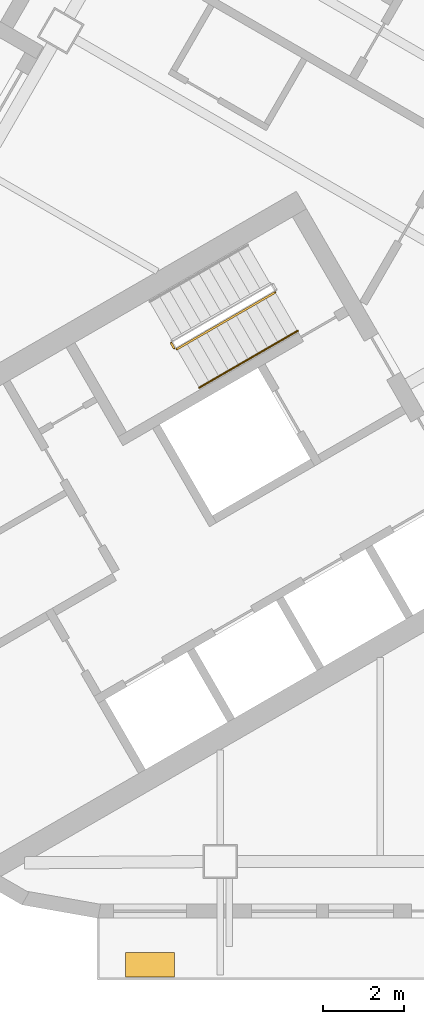
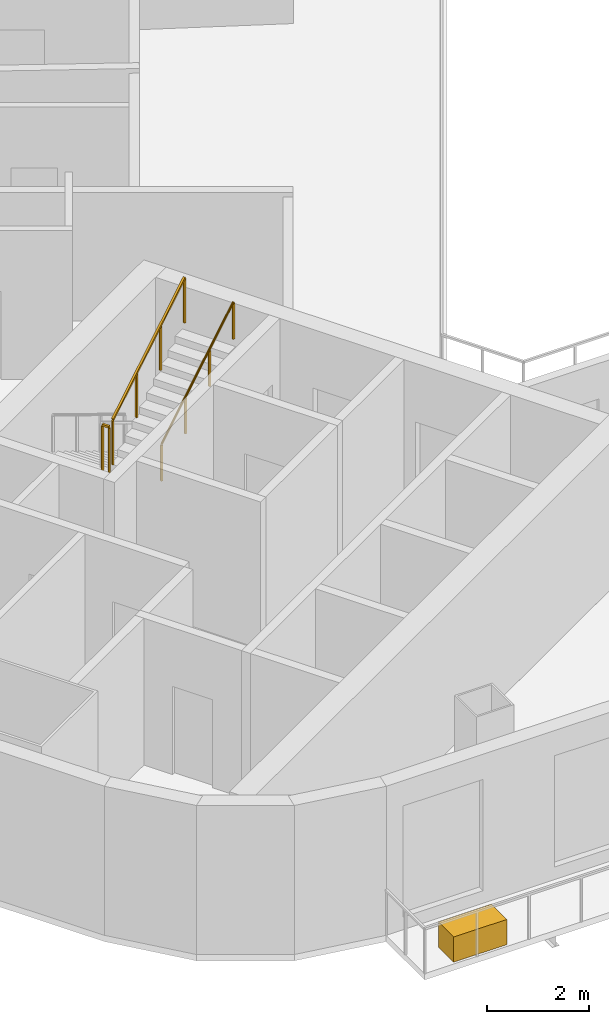
# One storey, part 9 of 14: 3 railings, 1 covering.
"""IFC4 building model written with IfcOpenShell, lengths in metres."""

from ifc_helpers import new_model, si_unit, direction, frame, origin, origin_2d, place, context, subcontext, project, spatial, rectangle, circle, extrude, material, type_object, element, save


model = new_model("IFC4")

# Units and contexts
model_context = context("Model", 3, precision=1e-05, world=origin(), true_north=direction((0.0, 1.0)))
body_context = subcontext(model_context, "Body", "Model", "MODEL_VIEW")
ifc_project = project(units=[si_unit("LENGTHUNIT", "METRE"), si_unit("AREAUNIT", "SQUARE_METRE"), si_unit("VOLUMEUNIT", "CUBIC_METRE"), si_unit("PLANEANGLEUNIT", "RADIAN"), si_unit("MASSUNIT", "GRAM", prefix="KILO")], contexts=[model_context])

# Site, building, storey
site_placement = place(None, origin())
site = spatial("IfcSite", under=ifc_project, at=site_placement, CompositionType="ELEMENT")
building_placement = place(site_placement, origin())
building = spatial("IfcBuilding", under=site, at=building_placement, Name="Apuvela Tower Hotel", CompositionType="ELEMENT")
storey_placement = place(building_placement, frame((0.0, 0.0, 150.300048828125)))
storey = spatial("IfcBuildingStorey", under=building, at=storey_placement, Name="L35", CompositionType="ELEMENT", Elevation=150.300048828125)

# Railings
ifc_material_1 = material(Name="Steel S275 balustrade", Category="steel")
railing_type_1 = type_object("IfcRailingType", Name="COR-GUARD-1100", PredefinedType="GUARDRAIL", material=ifc_material_1)
railing_1_placement = place(storey_placement, frame((-17.01220703125, -5.43408203125, 1.849853515625)))
element("IfcRailing", 1, at=railing_1_placement, inside=storey, type_object=railing_type_1, Name="L35 ST2 stair guard 2", PredefinedType="GUARDRAIL", context=body_context, shape_type="SweptSolid", body=[
    extrude(rectangle(XDim=0.048095703125, YDim=0.048095703125, at=origin_2d()), frame((0.0, 0.0, 1.076171875), z_axis=(0.499816412211, -0.866131372301, 0.0), x_axis=(0.866131372301, 0.499816412211, 0.0)), (0.0, 0.0, 1.0), 0.14990234375),
    extrude(rectangle(XDim=0.0419921875, YDim=0.0419921875, at=origin_2d()), origin(), (0.0, 0.0, 1.0), 1.052001953125),
    extrude(rectangle(XDim=0.0419921875, YDim=0.0419921875, at=origin_2d()), frame((0.074951171875, -0.1298828125, 0.0)), (0.0, 0.0, 1.0), 1.052001953125),
])
railing_2_placement = place(storey_placement, frame((-16.868896484375, -5.582275390625, 2.01806640625)))
element("IfcRailing", 2, at=railing_2_placement, inside=storey, type_object=railing_type_1, Name="L35 ST2 stair guard 3", PredefinedType="GUARDRAIL", context=body_context, shape_type="SweptSolid", body=[
    extrude(rectangle(XDim=0.048095703125, YDim=0.048095703125, at=origin_2d()), frame((0.0, 0.0, 1.076171875), z_axis=(0.742390482028, 0.42860119049, 0.514934356695), x_axis=(-0.49998411664, 0.866034573852, 0.0)), (0.0, 0.0, 1.0), 3.26611328125),
    extrude(rectangle(XDim=0.0419921875, YDim=0.0419921875, at=origin_2d()), origin(), (0.0, 0.0, 1.0), 1.052001953125),
    extrude(rectangle(XDim=0.0419921875, YDim=0.0419921875, at=origin_2d()), frame((0.808349609375, 0.466552734375, 0.560546875)), (0.0, 0.0, 1.0), 1.052001953125),
    extrude(rectangle(XDim=0.0419921875, YDim=0.0419921875, at=origin_2d()), frame((1.616455078125, 0.933349609375, 1.121337890625)), (0.0, 0.0, 1.0), 1.052001953125),
    extrude(rectangle(XDim=0.0419921875, YDim=0.0419921875, at=origin_2d()), frame((2.4248046875, 1.39990234375, 1.681884765625)), (0.0, 0.0, 1.0), 1.052001953125),
])
ifc_material_2 = material(Name="Stainless steel 316 handrail", Category="steel")
railing_type_2 = type_object("IfcRailingType", Name="COR-HANDRAIL-900", PredefinedType="HANDRAIL", material=ifc_material_2)
railing_3_placement = place(storey_placement, frame((-16.31884765625, -6.534912109375, 2.01806640625)))
element("IfcRailing", 3, at=railing_3_placement, inside=storey, type_object=railing_type_2, Name="L35 ST2 stair handrail 2", PredefinedType="HANDRAIL", context=body_context, shape_type="SweptSolid", body=[
    extrude(circle(Radius=0.02392578125, at=origin_2d()), frame((0.0, 0.0, 0.8759765625), z_axis=(0.742390482028, 0.42860119049, 0.514934356695), x_axis=(-0.49998411664, 0.866034573852, 0.0)), (0.0, 0.0, 1.0), 3.26611328125),
    extrude(rectangle(XDim=0.0419921875, YDim=0.0419921875, at=origin_2d()), origin(), (0.0, 0.0, 1.0), 0.851806640625),
    extrude(rectangle(XDim=0.0419921875, YDim=0.0419921875, at=origin_2d()), frame((0.808349609375, 0.466552734375, 0.560546875)), (0.0, 0.0, 1.0), 0.851806640625),
    extrude(rectangle(XDim=0.0419921875, YDim=0.0419921875, at=origin_2d()), frame((1.616455078125, 0.933349609375, 1.121337890625)), (0.0, 0.0, 1.0), 0.851806640625),
    extrude(rectangle(XDim=0.0419921875, YDim=0.0419921875, at=origin_2d()), frame((2.4248046875, 1.39990234375, 1.681884765625)), (0.0, 0.0, 1.0), 0.851806640625),
])

# Covering
ifc_material_3 = material(Name="Planting substrate and soil, planted")
covering_type = type_object("IfcCoveringType", Name="ENV-PLANTER-1200x600", PredefinedType="USERDEFINED", material=ifc_material_3)
covering_placement = place(storey_placement, frame((-17.53515625, -20.780029296875, 0.0), z_axis=(0.0, 0.0, 1.0), x_axis=(1.0, 0.0, 0.0)))
element("IfcCovering", 4, at=covering_placement, inside=storey, type_object=covering_type, Name="Planter S1", ObjectType="PLANTER", PredefinedType="USERDEFINED", context=body_context, shape_type="SweptSolid", body=[
    extrude(rectangle(XDim=1.199951171875, YDim=0.60009765625, at=origin_2d()), origin(), (0.0, 0.0, 1.0), 0.60009765625),
])

save(model, "model.ifc")
